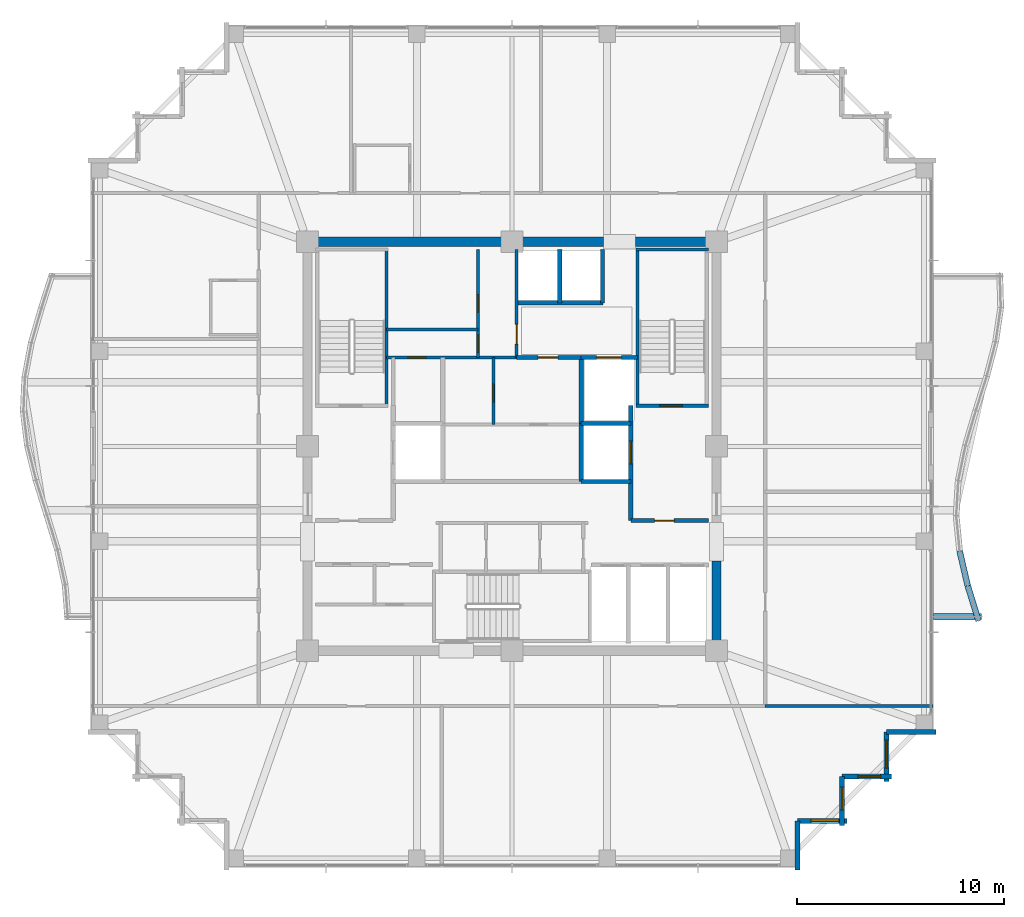
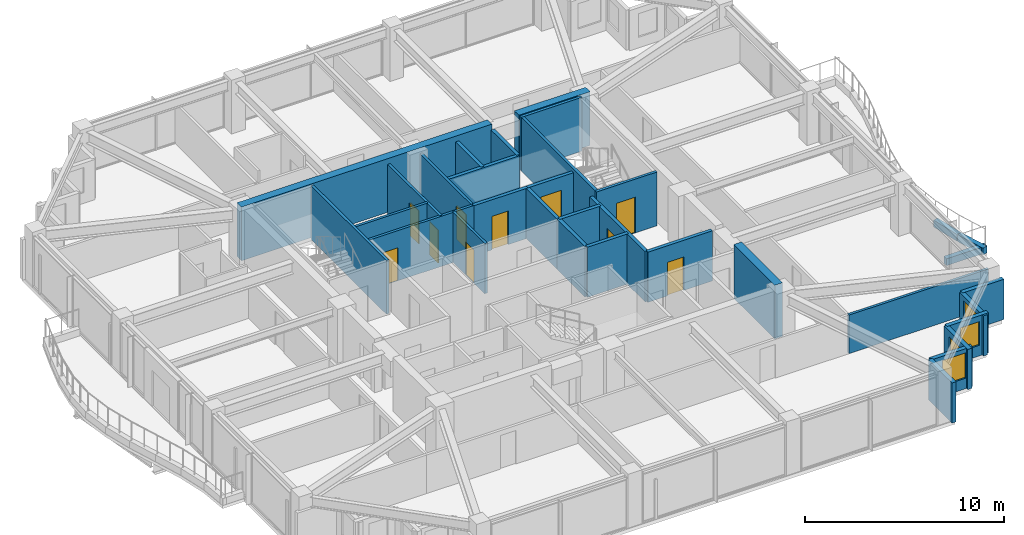
# One storey, part 30 of 34: 33 walls, 10 doors, 4 windows, 14 openings.
"""IFC4 building model written with IfcOpenShell, lengths in metres."""

from ifc_helpers import new_model, si_unit, direction, frame, frame_2d, origin, place, context, subcontext, project, spatial, rectangle, extrude, material, layer, layer_set, type_object, element, fill, save


model = new_model("IFC4")

# Units and contexts
model_context = context("Model", 3, precision=1e-05, world=origin(), true_north=direction((0.0, 1.0)))
body_context = subcontext(model_context, "Body", "Model", "MODEL_VIEW")
ifc_project = project(units=[si_unit("LENGTHUNIT", "METRE"), si_unit("AREAUNIT", "SQUARE_METRE"), si_unit("VOLUMEUNIT", "CUBIC_METRE"), si_unit("PLANEANGLEUNIT", "RADIAN"), si_unit("MASSUNIT", "GRAM", prefix="KILO")], contexts=[model_context])

# Site, building, storey
site_placement = place(None, origin())
site = spatial("IfcSite", under=ifc_project, at=site_placement, CompositionType="ELEMENT")
building_placement = place(site_placement, origin())
building = spatial("IfcBuilding", under=site, at=building_placement, Name="Kolvaren Belvedere", CompositionType="ELEMENT")
storey_placement = place(building_placement, frame((0.0, 0.0, 222.89990234375)))
storey = spatial("IfcBuildingStorey", under=building, at=storey_placement, Name="L65", CompositionType="ELEMENT", Elevation=222.89990234375)

# Walls
ifc_material_1 = material(Name="Concrete C50/60", Category="concrete")
ifc_layer_1 = layer(ifc_material_1, 0.449951171875)
ifc_layer_set_1 = layer_set([ifc_layer_1], Name="Concrete C50/60")
wall_type_1 = type_object("IfcWallType", Name="CW-CORE-450", PredefinedType="SHEAR", material=ifc_layer_set_1)
wall_1_placement = place(storey_placement, frame((-10.125, 9.89990234375, 0.0), z_axis=(0.0, 0.0, 1.0), x_axis=(1.0, 0.0, 0.0)))
element("IfcWall", 1, at=wall_1_placement, inside=storey, type_object=wall_type_1, Name="L65 North Core Shear Wall 1", PredefinedType="SHEAR", context=body_context, shape_type="SweptSolid", body=[
    extrude(rectangle(XDim=14.544921875, YDim=0.449951171875, at=frame_2d((7.2724609375, 0.0))), origin(), (0.0, 0.0, 1.0), 3.300048828125),
])
wall_2_placement = place(storey_placement, frame((5.97998046875, 9.89990234375, 0.0), z_axis=(0.0, 0.0, 1.0), x_axis=(1.0, 0.0, 0.0)))
element("IfcWall", 2, at=wall_2_placement, inside=storey, type_object=wall_type_1, Name="L65 North Core Shear Wall 2", PredefinedType="SHEAR", context=body_context, shape_type="SweptSolid", body=[
    extrude(rectangle(XDim=4.14501953125, YDim=0.449951171875, at=frame_2d((2.072509765625, 0.0))), origin(), (0.0, 0.0, 1.0), 3.300048828125),
])
wall_3_placement = place(storey_placement, frame((9.89990234375, -9.675048828125, 0.0), z_axis=(0.0, 0.0, 1.0), x_axis=(0.0, 1.0, 0.0)))
element("IfcWall", 3, at=wall_3_placement, inside=storey, type_object=wall_type_1, Name="L65 East Core Shear Wall 1", PredefinedType="SHEAR", context=body_context, shape_type="SweptSolid", body=[
    extrude(rectangle(XDim=4.125, YDim=0.449951171875, at=frame_2d((2.0625, 0.0))), origin(), (0.0, 0.0, 1.0), 3.300048828125),
])
ifc_material_2 = material(Name="Concrete C50/60", Category="concrete")
ifc_layer_2 = layer(ifc_material_2, 0.159912109375)
ifc_layer_set_2 = layer_set([ifc_layer_2], Name="Concrete C50/60")
wall_type_2 = type_object("IfcWallType", Name="CW-STAIR-160", PredefinedType="SHEAR", material=ifc_layer_set_2)
wall_4_placement = place(storey_placement, frame((-6.080078125, 1.969970703125, 0.0), z_axis=(0.0, 0.0, 1.0), x_axis=(0.0, 1.0, 0.0)))
element("IfcWall", 4, at=wall_4_placement, inside=storey, type_object=wall_type_2, Name="L65 Stair ST-1 East Shear Wall", PredefinedType="SHEAR", context=body_context, shape_type="SweptSolid", body=[
    extrude(rectangle(XDim=7.56005859375, YDim=0.159912109375, at=frame_2d((3.780029296875, 0.0))), origin(), (0.0, 0.0, 1.0), 3.300048828125),
])

# Wall, opening, door
wall_5_placement = place(storey_placement, frame((6.0, 1.969970703125, 0.0), z_axis=(0.0, 0.0, 1.0), x_axis=(1.0, 0.0, 0.0)))
wall_5 = element("IfcWall", 5, at=wall_5_placement, inside=storey, type_object=wall_type_2, Name="L65 Stair ST-2 South Shear Wall", PredefinedType="SHEAR", context=body_context, shape_type="SweptSolid", body=[
    extrude(rectangle(XDim=3.52001953125, YDim=0.159912109375, at=frame_2d((1.760009765625, 0.0))), origin(), (0.0, 0.0, 1.0), 3.300048828125),
])
opening_1_placement = place(wall_5_placement, frame((1.14990234375, 0.0, 0.0)))
opening_1 = element("IfcOpeningElement", 6, at=opening_1_placement, cuts=wall_5, Name="Opening D-FD90", PredefinedType="OPENING", context=body_context, shape_type="SweptSolid", body=[
    extrude(rectangle(XDim=1.10009765625, YDim=2.199951171875, at=frame_2d((0.550048828125, 1.10009765625))), frame((0.0, 0.08984375, 0.0), z_axis=(0.0, -1.0, 0.0), x_axis=(1.0, 0.0, 0.0)), (0.0, 0.0, 1.0), 0.179931640625),
])
ifc_material_3 = material(Name="Painted hollow stainless steel", Category="steel")
door_type_1 = type_object("IfcDoorType", Name="DR-FD90-1100", OperationType="NOTDEFINED", PredefinedType="DOOR", material=ifc_material_3)
door_1_placement = place(opening_1_placement, origin())
door_1 = element("IfcDoor", 7, at=door_1_placement, inside=storey, type_object=door_type_1, Name="L65 Stair ST-2 Fire Door", OperationType="SINGLE_SWING_RIGHT", OverallHeight=2.199951171875, OverallWidth=1.10009765625, PredefinedType="DOOR", context=body_context, shape_type="SweptSolid", body=[
    extrude(rectangle(XDim=1.10009765625, YDim=2.199951171875, at=frame_2d((0.550048828125, 1.10009765625))), frame((0.0, 0.02490234375, 0.0), z_axis=(0.0, -1.0, 0.0), x_axis=(1.0, 0.0, 0.0)), (0.0, 0.0, 1.0), 0.050048828125),
])
fill(opening_1, door_1)

# Walls
wall_6_placement = place(storey_placement, frame((6.0, 9.530029296875, 0.0), z_axis=(0.0, 0.0, 1.0), x_axis=(1.0, 0.0, 0.0)))
element("IfcWall", 8, at=wall_6_placement, inside=storey, type_object=wall_type_2, Name="L65 Stair ST-2 North Shear Wall", PredefinedType="SHEAR", context=body_context, shape_type="SweptSolid", body=[
    extrude(rectangle(XDim=3.52001953125, YDim=0.159912109375, at=frame_2d((1.760009765625, 0.0))), origin(), (0.0, 0.0, 1.0), 3.300048828125),
])
wall_7_placement = place(storey_placement, frame((6.080078125, 1.969970703125, 0.0), z_axis=(0.0, 0.0, 1.0), x_axis=(0.0, 1.0, 0.0)))
element("IfcWall", 9, at=wall_7_placement, inside=storey, type_object=wall_type_2, Name="L65 Stair ST-2 West Shear Wall", PredefinedType="SHEAR", context=body_context, shape_type="SweptSolid", body=[
    extrude(rectangle(XDim=7.56005859375, YDim=0.159912109375, at=frame_2d((3.780029296875, 0.0))), origin(), (0.0, 0.0, 1.0), 3.300048828125),
])
ifc_material_4 = material(Name="Insulated pale-metal facade wall assembly", Category="aluminium")
ifc_layer_3 = layer(ifc_material_4, 0.239990234375)
ifc_layer_set_3 = layer_set([ifc_layer_3], Name="Insulated pale-metal facade wall assembly")
wall_type_3 = type_object("IfcWallType", Name="WL-EXT-240", PredefinedType="STANDARD", material=ifc_layer_set_3)
wall_8_placement = place(storey_placement, frame((13.830078125, -18.1298828125, 0.0), z_axis=(0.0, 0.0, 1.0), x_axis=(0.0, -1.0, 0.0)))
element("IfcWall", 10, at=wall_8_placement, inside=storey, type_object=wall_type_3, Name="L65 Serrated Corner Facade Wall 2", PredefinedType="STANDARD", context=body_context, shape_type="SweptSolid", body=[
    extrude(rectangle(XDim=2.39013671875, YDim=0.239990234375, at=frame_2d((1.195068359375, 0.0))), origin(), (0.0, 0.0, 1.0), 2.463134765625),
])

# Wall, opening, window
wall_9_placement = place(storey_placement, frame((16.219970703125, -18.1298828125, 0.0), z_axis=(0.0, 0.0, 1.0), x_axis=(-1.0, 0.0, 0.0)))
wall_9 = element("IfcWall", 11, at=wall_9_placement, inside=storey, type_object=wall_type_3, Name="L65 Serrated Corner Facade Wall 3", PredefinedType="STANDARD", context=body_context, shape_type="SweptSolid", body=[
    extrude(rectangle(XDim=2.389892578125, YDim=0.239990234375, at=frame_2d((1.19482421875, 0.0))), origin(), (0.0, 0.0, 1.0), 2.463134765625),
])
opening_2_placement = place(wall_9_placement, frame((0.39990234375, 0.0, 0.64990234375)))
opening_2 = element("IfcOpeningElement", 12, at=opening_2_placement, cuts=wall_9, Name="Opening W-1350", PredefinedType="OPENING", context=body_context, shape_type="SweptSolid", body=[
    extrude(rectangle(XDim=1.35009765625, YDim=1.550048828125, at=frame_2d((0.675048828125, 0.77490234375))), frame((0.0, 0.1298828125, 0.0), z_axis=(0.0, -1.0, 0.0), x_axis=(1.0, 0.0, 0.0)), (0.0, 0.0, 1.0), 0.260009765625),
])
ifc_material_5 = material(Name="Low-iron triple insulated glass", Category="glass")
window_type_1 = type_object("IfcWindowType", Name="WN-CORN-1350", PartitioningType="SINGLE_PANEL", PredefinedType="WINDOW", material=ifc_material_5)
window_1_placement = place(opening_2_placement, origin())
window_1 = element("IfcWindow", 13, at=window_1_placement, inside=storey, type_object=window_type_1, Name="L65 Serrated Corner Vision Window 3", OverallHeight=1.550048828125, OverallWidth=1.35009765625, PartitioningType="SINGLE_PANEL", PredefinedType="WINDOW", context=body_context, shape_type="SweptSolid", body=[
    extrude(rectangle(XDim=1.35009765625, YDim=1.550048828125, at=frame_2d((0.675048828125, 0.77490234375))), frame((0.0, 0.030029296875, 0.0), z_axis=(0.0, -1.0, 0.0), x_axis=(1.0, 0.0, 0.0)), (0.0, 0.0, 1.0), 0.06005859375),
])
fill(opening_2, window_1)

wall_10_placement = place(storey_placement, frame((15.97998046875, -15.97998046875, 0.0), z_axis=(0.0, 0.0, 1.0), x_axis=(0.0, -1.0, 0.0)))
wall_10 = element("IfcWall", 14, at=wall_10_placement, inside=storey, type_object=wall_type_3, Name="L65 Serrated Corner Facade Wall 4", PredefinedType="STANDARD", context=body_context, shape_type="SweptSolid", body=[
    extrude(rectangle(XDim=2.39013671875, YDim=0.239990234375, at=frame_2d((1.195068359375, 0.0))), origin(), (0.0, 0.0, 1.0), 2.463134765625),
])
opening_3_placement = place(wall_10_placement, frame((0.52490234375, 0.0, 0.64990234375)))
opening_3 = element("IfcOpeningElement", 15, at=opening_3_placement, cuts=wall_10, Name="Opening W-1100", PredefinedType="OPENING", context=body_context, shape_type="SweptSolid", body=[
    extrude(rectangle(XDim=1.10009765625, YDim=1.449951171875, at=frame_2d((0.550048828125, 0.72509765625))), frame((0.0, 0.1298828125, 0.0), z_axis=(0.0, -1.0, 0.0), x_axis=(1.0, 0.0, 0.0)), (0.0, 0.0, 1.0), 0.260009765625),
])
ifc_material_6 = material(Name="Low-iron triple insulated glass", Category="glass")
window_type_2 = type_object("IfcWindowType", Name="WN-CORN-1100", PartitioningType="SINGLE_PANEL", PredefinedType="WINDOW", material=ifc_material_6)
window_2_placement = place(opening_3_placement, origin())
window_2 = element("IfcWindow", 16, at=window_2_placement, inside=storey, type_object=window_type_2, Name="L65 Serrated Corner Vision Window 4", OverallHeight=1.449951171875, OverallWidth=1.10009765625, PartitioningType="SINGLE_PANEL", PredefinedType="WINDOW", context=body_context, shape_type="SweptSolid", body=[
    extrude(rectangle(XDim=1.10009765625, YDim=1.449951171875, at=frame_2d((0.550048828125, 0.72509765625))), frame((0.0, 0.030029296875, 0.0), z_axis=(0.0, -1.0, 0.0), x_axis=(1.0, 0.0, 0.0)), (0.0, 0.0, 1.0), 0.06005859375),
])
fill(opening_3, window_2)

wall_11_placement = place(storey_placement, frame((18.3701171875, -15.97998046875, 0.0), z_axis=(0.0, 0.0, 1.0), x_axis=(-1.0, 0.0, 0.0)))
wall_11 = element("IfcWall", 17, at=wall_11_placement, inside=storey, type_object=wall_type_3, Name="L65 Serrated Corner Facade Wall 5", PredefinedType="STANDARD", context=body_context, shape_type="SweptSolid", body=[
    extrude(rectangle(XDim=2.39013671875, YDim=0.239990234375, at=frame_2d((1.195068359375, 0.0))), origin(), (0.0, 0.0, 1.0), 2.463134765625),
])
opening_4_placement = place(wall_11_placement, frame((0.52490234375, 0.0, 0.64990234375)))
opening_4 = element("IfcOpeningElement", 18, at=opening_4_placement, cuts=wall_11, Name="Opening W-1100", PredefinedType="OPENING", context=body_context, shape_type="SweptSolid", body=[
    extrude(rectangle(XDim=1.10009765625, YDim=1.449951171875, at=frame_2d((0.550048828125, 0.72509765625))), frame((0.0, 0.1298828125, 0.0), z_axis=(0.0, -1.0, 0.0), x_axis=(1.0, 0.0, 0.0)), (0.0, 0.0, 1.0), 0.260009765625),
])
window_3_placement = place(opening_4_placement, origin())
window_3 = element("IfcWindow", 19, at=window_3_placement, inside=storey, type_object=window_type_2, Name="L65 Serrated Corner Vision Window 5", OverallHeight=1.449951171875, OverallWidth=1.10009765625, PartitioningType="SINGLE_PANEL", PredefinedType="WINDOW", context=body_context, shape_type="SweptSolid", body=[
    extrude(rectangle(XDim=1.10009765625, YDim=1.449951171875, at=frame_2d((0.550048828125, 0.72509765625))), frame((0.0, 0.030029296875, 0.0), z_axis=(0.0, -1.0, 0.0), x_axis=(1.0, 0.0, 0.0)), (0.0, 0.0, 1.0), 0.06005859375),
])
fill(opening_4, window_3)

wall_12_placement = place(storey_placement, frame((18.1298828125, -13.830078125, 0.0), z_axis=(0.0, 0.0, 1.0), x_axis=(0.0, -1.0, 0.0)))
wall_12 = element("IfcWall", 20, at=wall_12_placement, inside=storey, type_object=wall_type_3, Name="L65 Serrated Corner Facade Wall 6", PredefinedType="STANDARD", context=body_context, shape_type="SweptSolid", body=[
    extrude(rectangle(XDim=2.389892578125, YDim=0.239990234375, at=frame_2d((1.19482421875, 0.0))), origin(), (0.0, 0.0, 1.0), 2.463134765625),
])
opening_5_placement = place(wall_12_placement, frame((0.39990234375, 0.0, 0.64990234375)))
opening_5 = element("IfcOpeningElement", 21, at=opening_5_placement, cuts=wall_12, Name="Opening W-1350", PredefinedType="OPENING", context=body_context, shape_type="SweptSolid", body=[
    extrude(rectangle(XDim=1.35009765625, YDim=1.550048828125, at=frame_2d((0.675048828125, 0.77490234375))), frame((0.0, 0.1298828125, 0.0), z_axis=(0.0, -1.0, 0.0), x_axis=(1.0, 0.0, 0.0)), (0.0, 0.0, 1.0), 0.260009765625),
])
window_4_placement = place(opening_5_placement, origin())
window_4 = element("IfcWindow", 22, at=window_4_placement, inside=storey, type_object=window_type_1, Name="L65 Serrated Corner Vision Window 6", OverallHeight=1.550048828125, OverallWidth=1.35009765625, PartitioningType="SINGLE_PANEL", PredefinedType="WINDOW", context=body_context, shape_type="SweptSolid", body=[
    extrude(rectangle(XDim=1.35009765625, YDim=1.550048828125, at=frame_2d((0.675048828125, 0.77490234375))), frame((0.0, 0.030029296875, 0.0), z_axis=(0.0, -1.0, 0.0), x_axis=(1.0, 0.0, 0.0)), (0.0, 0.0, 1.0), 0.06005859375),
])
fill(opening_5, window_4)

# Wall
wall_13_placement = place(storey_placement, frame((20.52001953125, -13.830078125, 0.0), z_axis=(0.0, 0.0, 1.0), x_axis=(-1.0, 0.0, 0.0)))
element("IfcWall", 23, at=wall_13_placement, inside=storey, type_object=wall_type_3, Name="L65 Serrated Corner Facade Wall 7", PredefinedType="STANDARD", context=body_context, shape_type="SweptSolid", body=[
    extrude(rectangle(XDim=2.39013671875, YDim=0.239990234375, at=frame_2d((1.195068359375, 0.0))), origin(), (0.0, 0.0, 1.0), 2.463134765625),
])

# Wall, opening, door
ifc_material_7 = material(Name="Gypsum acoustic partition assembly", Category="gypsum")
ifc_layer_4 = layer(ifc_material_7, 0.14990234375)
ifc_layer_set_4 = layer_set([ifc_layer_4], Name="Gypsum acoustic partition assembly")
wall_type_4 = type_object("IfcWallType", Name="WL-PART-150", PredefinedType="PARTITIONING", material=ifc_layer_set_4)
wall_14_placement = place(storey_placement, frame((-6.080078125, 4.300048828125, 0.0), z_axis=(0.0, 0.0, 1.0), x_axis=(1.0, 0.0, 0.0)))
wall_14 = element("IfcWall", 24, at=wall_14_placement, inside=storey, type_object=wall_type_4, Name="L65 Reclaimed Salon South Wall", PredefinedType="PARTITIONING", context=body_context, shape_type="SweptSolid", body=[
    extrude(rectangle(XDim=6.300048828125, YDim=0.14990234375, at=frame_2d((3.14990234375, 0.0))), origin(), (0.0, 0.0, 1.0), 3.080078125),
])
opening_6_placement = place(wall_14_placement, frame((1.050048828125, 0.0, 0.0)))
opening_6 = element("IfcOpeningElement", 25, at=opening_6_placement, cuts=wall_14, Name="Opening D-INT85", PredefinedType="OPENING", context=body_context, shape_type="SweptSolid", body=[
    extrude(rectangle(XDim=0.85009765625, YDim=2.030029296875, at=frame_2d((0.425048828125, 1.01513671875))), frame((0.0, 0.0849609375, 0.0), z_axis=(0.0, -1.0, 0.0), x_axis=(1.0, 0.0, 0.0)), (0.0, 0.0, 1.0), 0.169921875),
])
ifc_material_8 = material(Name="Stained Pacific white oak", Category="timber")
door_type_2 = type_object("IfcDoorType", Name="DR-INT-850", OperationType="NOTDEFINED", PredefinedType="DOOR", material=ifc_material_8)
door_2_placement = place(opening_6_placement, origin())
door_2 = element("IfcDoor", 26, at=door_2_placement, inside=storey, type_object=door_type_2, Name="L65 NW Core Store Door", OperationType="SINGLE_SWING_RIGHT", OverallHeight=2.030029296875, OverallWidth=0.85009765625, PredefinedType="DOOR", context=body_context, shape_type="SweptSolid", body=[
    extrude(rectangle(XDim=0.85009765625, YDim=2.030029296875, at=frame_2d((0.425048828125, 1.01513671875))), frame((0.0, 0.02490234375, 0.0), z_axis=(0.0, -1.0, 0.0), x_axis=(1.0, 0.0, 0.0)), (0.0, 0.0, 1.0), 0.050048828125),
])
fill(opening_6, door_2)

wall_15_placement = place(storey_placement, frame((0.219970703125, 4.300048828125, 0.0), z_axis=(0.0, 0.0, 1.0), x_axis=(0.0, 1.0, 0.0)))
wall_15 = element("IfcWall", 27, at=wall_15_placement, inside=storey, type_object=wall_type_4, Name="L65 Reclaimed Salon East Wall", PredefinedType="PARTITIONING", context=body_context, shape_type="SweptSolid", body=[
    extrude(rectangle(XDim=5.219970703125, YDim=0.14990234375, at=frame_2d((2.60986328125, 0.0))), origin(), (0.0, 0.0, 1.0), 3.080078125),
])
opening_7_placement = place(wall_15_placement, frame((0.64990234375, 0.0, 0.0)))
opening_7 = element("IfcOpeningElement", 28, at=opening_7_placement, cuts=wall_15, Name="Opening D-INT95", PredefinedType="OPENING", context=body_context, shape_type="SweptSolid", body=[
    extrude(rectangle(XDim=0.949951171875, YDim=2.06005859375, at=frame_2d((0.47509765625, 1.030029296875))), frame((0.0, 0.0849609375, 0.0), z_axis=(0.0, -1.0, 0.0), x_axis=(1.0, 0.0, 0.0)), (0.0, 0.0, 1.0), 0.169921875),
])
ifc_material_9 = material(Name="Stained Pacific white oak", Category="timber")
door_type_3 = type_object("IfcDoorType", Name="DR-INT-950", OperationType="NOTDEFINED", PredefinedType="DOOR", material=ifc_material_9)
door_3_placement = place(opening_7_placement, origin())
door_3 = element("IfcDoor", 29, at=door_3_placement, inside=storey, type_object=door_type_3, Name="L65 Wellness Tearoom Door", OperationType="SINGLE_SWING_LEFT", OverallHeight=2.06005859375, OverallWidth=0.949951171875, PredefinedType="DOOR", context=body_context, shape_type="SweptSolid", body=[
    extrude(rectangle(XDim=0.949951171875, YDim=2.06005859375, at=frame_2d((0.47509765625, 1.030029296875))), frame((0.0, 0.02490234375, 0.0), z_axis=(0.0, -1.0, 0.0), x_axis=(1.0, 0.0, 0.0)), (0.0, 0.0, 1.0), 0.050048828125),
])
fill(opening_7, door_3)

# Wall, openings, doors
wall_16_placement = place(storey_placement, frame((-1.64990234375, 4.300048828125, 0.0), z_axis=(0.0, 0.0, 1.0), x_axis=(0.0, 1.0, 0.0)))
wall_16 = element("IfcWall", 30, at=wall_16_placement, inside=storey, type_object=wall_type_4, Name="L65 Reclaimed Tearoom V-Divider", PredefinedType="PARTITIONING", context=body_context, shape_type="SweptSolid", body=[
    extrude(rectangle(XDim=5.219970703125, YDim=0.14990234375, at=frame_2d((2.60986328125, 0.0))), origin(), (0.0, 0.0, 1.0), 3.080078125),
])
opening_8_placement = place(wall_16_placement, frame((2.199951171875, 0.0, 0.0)))
opening_8 = element("IfcOpeningElement", 31, at=opening_8_placement, cuts=wall_16, Name="Opening D-INT85", PredefinedType="OPENING", context=body_context, shape_type="SweptSolid", body=[
    extrude(rectangle(XDim=0.85009765625, YDim=2.030029296875, at=frame_2d((0.425048828125, 1.01513671875))), frame((0.0, 0.0849609375, 0.0), z_axis=(0.0, -1.0, 0.0), x_axis=(1.0, 0.0, 0.0)), (0.0, 0.0, 1.0), 0.169921875),
])
opening_9_placement = place(wall_16_placement, frame((0.25, 0.0, 0.0)))
opening_9 = element("IfcOpeningElement", 32, at=opening_9_placement, cuts=wall_16, Name="Opening D-INT85", PredefinedType="OPENING", context=body_context, shape_type="SweptSolid", body=[
    extrude(rectangle(XDim=0.85009765625, YDim=2.030029296875, at=frame_2d((0.425048828125, 1.01513671875))), frame((0.0, 0.0849609375, 0.0), z_axis=(0.0, -1.0, 0.0), x_axis=(1.0, 0.0, 0.0)), (0.0, 0.0, 1.0), 0.169921875),
])
door_4_placement = place(opening_8_placement, origin())
door_4 = element("IfcDoor", 33, at=door_4_placement, inside=storey, type_object=door_type_2, Name="L65 Meditation Room Door", OperationType="SINGLE_SWING_RIGHT", OverallHeight=2.030029296875, OverallWidth=0.85009765625, PredefinedType="DOOR", context=body_context, shape_type="SweptSolid", body=[
    extrude(rectangle(XDim=0.85009765625, YDim=2.030029296875, at=frame_2d((0.425048828125, 1.01513671875))), frame((0.0, 0.02490234375, 0.0), z_axis=(0.0, -1.0, 0.0), x_axis=(1.0, 0.0, 0.0)), (0.0, 0.0, 1.0), 0.050048828125),
])
fill(opening_8, door_4)
door_5_placement = place(opening_9_placement, origin())
door_5 = element("IfcDoor", 34, at=door_5_placement, inside=storey, type_object=door_type_2, Name="L65 Herbal Closet Door", OperationType="SINGLE_SWING_RIGHT", OverallHeight=2.030029296875, OverallWidth=0.85009765625, PredefinedType="DOOR", context=body_context, shape_type="SweptSolid", body=[
    extrude(rectangle(XDim=0.85009765625, YDim=2.030029296875, at=frame_2d((0.425048828125, 1.01513671875))), frame((0.0, 0.02490234375, 0.0), z_axis=(0.0, -1.0, 0.0), x_axis=(1.0, 0.0, 0.0)), (0.0, 0.0, 1.0), 0.050048828125),
])
fill(opening_9, door_5)

# Wall
wall_17_placement = place(storey_placement, frame((-6.080078125, 5.64990234375, 0.0), z_axis=(0.0, 0.0, 1.0), x_axis=(1.0, 0.0, 0.0)))
element("IfcWall", 35, at=wall_17_placement, inside=storey, type_object=wall_type_4, Name="L65 Reclaimed Tearoom H-Divider", PredefinedType="PARTITIONING", context=body_context, shape_type="SweptSolid", body=[
    extrude(rectangle(XDim=4.43017578125, YDim=0.14990234375, at=frame_2d((2.215087890625, 0.0))), origin(), (0.0, 0.0, 1.0), 3.080078125),
])

# Wall, opening, door
wall_18_placement = place(storey_placement, frame((-0.89990234375, 1.050048828125, 0.0), z_axis=(0.0, 0.0, 1.0), x_axis=(0.0, 1.0, 0.0)))
wall_18 = element("IfcWall", 36, at=wall_18_placement, inside=storey, type_object=wall_type_4, Name="L65 Central Core V-Divider", PredefinedType="PARTITIONING", context=body_context, shape_type="SweptSolid", body=[
    extrude(rectangle(XDim=3.25, YDim=0.14990234375, at=frame_2d((1.625, 0.0))), origin(), (0.0, 0.0, 1.0), 3.080078125),
])
opening_10_placement = place(wall_18_placement, frame((1.10009765625, 0.0, 0.0)))
opening_10 = element("IfcOpeningElement", 37, at=opening_10_placement, cuts=wall_18, Name="Opening D-INT85", PredefinedType="OPENING", context=body_context, shape_type="SweptSolid", body=[
    extrude(rectangle(XDim=0.85009765625, YDim=2.030029296875, at=frame_2d((0.425048828125, 1.01513671875))), frame((0.0, 0.0849609375, 0.0), z_axis=(0.0, -1.0, 0.0), x_axis=(1.0, 0.0, 0.0)), (0.0, 0.0, 1.0), 0.169921875),
])
door_6_placement = place(opening_10_placement, origin())
door_6 = element("IfcDoor", 38, at=door_6_placement, inside=storey, type_object=door_type_2, Name="L65 Central Telecom Door", OperationType="SINGLE_SWING_RIGHT", OverallHeight=2.030029296875, OverallWidth=0.85009765625, PredefinedType="DOOR", context=body_context, shape_type="SweptSolid", body=[
    extrude(rectangle(XDim=0.85009765625, YDim=2.030029296875, at=frame_2d((0.425048828125, 1.01513671875))), frame((0.0, 0.02490234375, 0.0), z_axis=(0.0, -1.0, 0.0), x_axis=(1.0, 0.0, 0.0)), (0.0, 0.0, 1.0), 0.050048828125),
])
fill(opening_10, door_6)

# Walls
wall_19_placement = place(storey_placement, frame((12.260009765625, -12.580078125, 0.0), z_axis=(0.0, 0.0, 1.0), x_axis=(1.0, 0.0, 0.0)))
element("IfcWall", 39, at=wall_19_placement, inside=storey, type_object=wall_type_4, Name="L65 Wing Divider PW-L65-QSE", PredefinedType="PARTITIONING", context=body_context, shape_type="SweptSolid", body=[
    extrude(rectangle(XDim=8.119873046875, YDim=0.14990234375, at=frame_2d((4.06005859375, 0.0))), origin(), (0.0, 0.0, 1.0), 2.369140625),
])
ifc_material_10 = material(Name="Precast concrete C40/50", Category="concrete")
ifc_layer_5 = layer(ifc_material_10, 0.300048828125)
ifc_layer_set_5 = layer_set([ifc_layer_5], Name="Precast concrete C40/50")
wall_type_5 = type_object("IfcWallType", Name="WL-PLANTER-300", PredefinedType="PARAPET", material=ifc_layer_set_5)
wall_20_placement = place(storey_placement, frame((22.587158203125, -8.447265625, -0.039794921875), z_axis=(0.0, 0.0, 1.0), x_axis=(-0.295831524561, 0.95524013163, 0.0)))
element("IfcWall", 40, at=wall_20_placement, inside=storey, type_object=wall_type_5, Name="L65 Precast Structural Planter Wall BAL-E-1", PredefinedType="PARAPET", context=body_context, shape_type="SweptSolid", body=[
    extrude(rectangle(XDim=1.758544921875, YDim=0.280029296875, at=frame_2d((0.87939453125, 0.0))), origin(), (0.0, 0.0, 1.0), 0.419921875),
])
wall_21_placement = place(storey_placement, frame((22.06396484375, -6.75634765625, -0.039794921875), z_axis=(0.0, 0.0, 1.0), x_axis=(-0.227019323824, 0.973890253884, 0.0)))
element("IfcWall", 41, at=wall_21_placement, inside=storey, type_object=wall_type_5, Name="L65 Precast Structural Planter Wall BAL-E-2", PredefinedType="PARAPET", context=body_context, shape_type="SweptSolid", body=[
    extrude(rectangle(XDim=1.724853515625, YDim=0.280029296875, at=frame_2d((0.8623046875, 0.0))), origin(), (0.0, 0.0, 1.0), 0.419921875),
])
wall_22_placement = place(storey_placement, frame((20.39990234375, -8.239990234375, -0.039794921875), z_axis=(0.0, 0.0, 1.0), x_axis=(1.0, 0.0, 0.0)))
element("IfcWall", 42, at=wall_22_placement, inside=storey, type_object=wall_type_5, Name="L65 Precast Structural Planter Wall BAL-E-22", PredefinedType="PARAPET", context=body_context, shape_type="SweptSolid", body=[
    extrude(rectangle(XDim=2.340087890625, YDim=0.280029296875, at=frame_2d((1.169921875, 0.0))), origin(), (0.0, 0.0, 1.0), 0.419921875),
])

# Wall, opening, door
ifc_material_11 = material(Name="Concrete C50/60", Category="concrete")
ifc_layer_6 = layer(ifc_material_11, 0.199951171875)
ifc_layer_set_6 = layer_set([ifc_layer_6], Name="Concrete C50/60")
wall_type_6 = type_object("IfcWallType", Name="WL-SHAFT-200", PredefinedType="SOLIDWALL", material=ifc_layer_set_6)
wall_23_placement = place(storey_placement, frame((5.75, -3.60009765625, 0.0), z_axis=(0.0, 0.0, 1.0), x_axis=(1.0, 0.0, 0.0)))
wall_23 = element("IfcWall", 43, at=wall_23_placement, inside=storey, type_object=wall_type_6, Name="L65 East FSAE Lobby South Wall", PredefinedType="SOLIDWALL", context=body_context, shape_type="SweptSolid", body=[
    extrude(rectangle(XDim=3.77001953125, YDim=0.199951171875, at=frame_2d((1.885009765625, 0.0))), origin(), (0.0, 0.0, 1.0), 3.080078125),
])
opening_11_placement = place(wall_23_placement, frame((1.14990234375, 0.0, 0.0)))
opening_11 = element("IfcOpeningElement", 44, at=opening_11_placement, cuts=wall_23, Name="Opening D-FD60", PredefinedType="OPENING", context=body_context, shape_type="SweptSolid", body=[
    extrude(rectangle(XDim=0.949951171875, YDim=2.06005859375, at=frame_2d((0.47509765625, 1.030029296875))), frame((0.0, 0.10986328125, 0.0), z_axis=(0.0, -1.0, 0.0), x_axis=(1.0, 0.0, 0.0)), (0.0, 0.0, 1.0), 0.219970703125),
])
ifc_material_12 = material(Name="Acoustic white-oak fire door leaf", Category="timber")
door_type_4 = type_object("IfcDoorType", Name="DR-FD60-950", OperationType="NOTDEFINED", PredefinedType="DOOR", material=ifc_material_12)
door_7_placement = place(opening_11_placement, origin())
door_7 = element("IfcDoor", 45, at=door_7_placement, inside=storey, type_object=door_type_4, Name="L65 SE Lift Lobby Fire Door", OperationType="SINGLE_SWING_RIGHT", OverallHeight=2.06005859375, OverallWidth=0.949951171875, PredefinedType="DOOR", context=body_context, shape_type="SweptSolid", body=[
    extrude(rectangle(XDim=0.949951171875, YDim=2.06005859375, at=frame_2d((0.47509765625, 1.030029296875))), frame((0.0, 0.02490234375, 0.0), z_axis=(0.0, -1.0, 0.0), x_axis=(1.0, 0.0, 0.0)), (0.0, 0.0, 1.0), 0.050048828125),
])
fill(opening_11, door_7)

wall_24_placement = place(storey_placement, frame((5.75, -3.60009765625, 0.0), z_axis=(0.0, 0.0, 1.0), x_axis=(0.0, 1.0, 0.0)))
wall_24 = element("IfcWall", 46, at=wall_24_placement, inside=storey, type_object=wall_type_6, Name="L65 FSAE FS2 Landing Wall", PredefinedType="SOLIDWALL", context=body_context, shape_type="SweptSolid", body=[
    extrude(rectangle(XDim=5.570068359375, YDim=0.199951171875, at=frame_2d((2.78515625, 0.0))), origin(), (0.0, 0.0, 1.0), 3.080078125),
])
opening_12_placement = place(wall_24_placement, frame((2.75, 0.0, 0.0)))
opening_12 = element("IfcOpeningElement", 47, at=opening_12_placement, cuts=wall_24, Name="Opening LD-11", PredefinedType="OPENING", context=body_context, shape_type="SweptSolid", body=[
    extrude(rectangle(XDim=1.10009765625, YDim=2.199951171875, at=frame_2d((0.550048828125, 1.10009765625))), frame((0.0, 0.10986328125, 0.0), z_axis=(0.0, -1.0, 0.0), x_axis=(1.0, 0.0, 0.0)), (0.0, 0.0, 1.0), 0.219970703125),
])
ifc_material_13 = material(Name="Brushed stainless steel", Category="steel")
door_type_5 = type_object("IfcDoorType", Name="DR-LIFT-1100", OperationType="DOUBLE_DOOR_SLIDING", PredefinedType="DOOR", material=ifc_material_13)
door_8_placement = place(opening_12_placement, origin())
door_8 = element("IfcDoor", 48, at=door_8_placement, inside=storey, type_object=door_type_5, Name="L65 Firefighting Lift FS2 Landing Door", OperationType="DOUBLE_DOOR_SLIDING", OverallHeight=2.199951171875, OverallWidth=1.10009765625, PredefinedType="DOOR", context=body_context, shape_type="SweptSolid", body=[
    extrude(rectangle(XDim=1.10009765625, YDim=2.199951171875, at=frame_2d((0.550048828125, 1.10009765625))), frame((0.0, 0.02490234375, 0.0), z_axis=(0.0, -1.0, 0.0), x_axis=(1.0, 0.0, 0.0)), (0.0, 0.0, 1.0), 0.050048828125),
])
fill(opening_12, door_8)

# Walls
wall_25_placement = place(storey_placement, frame((3.35009765625, -1.699951171875, 0.0), z_axis=(0.0, 0.0, 1.0), x_axis=(0.0, 1.0, 0.0)))
element("IfcWall", 49, at=wall_25_placement, inside=storey, type_object=wall_type_6, Name="L65 FSAE FS2 Back Wall", PredefinedType="SOLIDWALL", context=body_context, shape_type="SweptSolid", body=[
    extrude(rectangle(XDim=2.800048828125, YDim=0.199951171875, at=frame_2d((1.39990234375, 0.0))), origin(), (0.0, 0.0, 1.0), 3.080078125),
])
for number, where, z_axis, x_axis, name in (
    (50, (3.35009765625, -1.699951171875, 0.0), (0.0, 0.0, 1.0), (1.0, 0.0, 0.0), "L65 FSAE FS2 South Wall"),
    (51, (3.35009765625, 1.10009765625, 0.0), (0.0, 0.0, 1.0), (1.0, 0.0, 0.0), "L65 FSAE FS2 North Wall"),
):
    element("IfcWall", number, at=place(storey_placement, frame(where, z_axis=z_axis, x_axis=x_axis)), inside=storey, type_object=wall_type_6, Name=name, PredefinedType="SOLIDWALL", context=body_context, shape_type="SweptSolid", body=[
        extrude(rectangle(XDim=2.39990234375, YDim=0.199951171875, at=frame_2d((1.199951171875, 0.0))), origin(), (0.0, 0.0, 1.0), 3.080078125),
    ])

# Wall, opening, door
wall_26_placement = place(storey_placement, frame((3.35009765625, 4.300048828125, 0.0), z_axis=(0.0, 0.0, 1.0), x_axis=(1.0, 0.0, 0.0)))
wall_26 = element("IfcWall", 52, at=wall_26_placement, inside=storey, type_object=wall_type_6, Name="L65 Service Lift SV1 Front Wall", PredefinedType="SOLIDWALL", context=body_context, shape_type="SweptSolid", body=[
    extrude(rectangle(XDim=2.72998046875, YDim=0.199951171875, at=frame_2d((1.364990234375, 0.0))), origin(), (0.0, 0.0, 1.0), 3.080078125),
])
opening_13_placement = place(wall_26_placement, frame((0.75, 0.0, 0.0)))
opening_13 = element("IfcOpeningElement", 53, at=opening_13_placement, cuts=wall_26, Name="Opening LD-12", PredefinedType="OPENING", context=body_context, shape_type="SweptSolid", body=[
    extrude(rectangle(XDim=1.199951171875, YDim=2.25, at=frame_2d((0.60009765625, 1.125))), frame((0.0, 0.10986328125, 0.0), z_axis=(0.0, -1.0, 0.0), x_axis=(1.0, 0.0, 0.0)), (0.0, 0.0, 1.0), 0.219970703125),
])
ifc_material_14 = material(Name="Brushed stainless steel", Category="steel")
door_type_6 = type_object("IfcDoorType", Name="DR-LIFT-1200", OperationType="DOUBLE_DOOR_SLIDING", PredefinedType="DOOR", material=ifc_material_14)
door_9_placement = place(opening_13_placement, origin())
door_9 = element("IfcDoor", 54, at=door_9_placement, inside=storey, type_object=door_type_6, Name="L65 Service Lift SV1 Landing Door", OperationType="DOUBLE_DOOR_SLIDING", OverallHeight=2.25, OverallWidth=1.199951171875, PredefinedType="DOOR", context=body_context, shape_type="SweptSolid", body=[
    extrude(rectangle(XDim=1.199951171875, YDim=2.25, at=frame_2d((0.60009765625, 1.125))), frame((0.0, 0.02490234375, 0.0), z_axis=(0.0, -1.0, 0.0), x_axis=(1.0, 0.0, 0.0)), (0.0, 0.0, 1.0), 0.050048828125),
])
fill(opening_13, door_9)

# Walls
wall_27_placement = place(storey_placement, frame((0.219970703125, 6.949951171875, 0.0), z_axis=(0.0, 0.0, 1.0), x_axis=(1.0, 0.0, 0.0)))
element("IfcWall", 55, at=wall_27_placement, inside=storey, type_object=wall_type_6, Name="L65 Express Shuttle Hoistway Wall", PredefinedType="SOLIDWALL", context=body_context, shape_type="SweptSolid", body=[
    extrude(rectangle(XDim=4.179931640625, YDim=0.199951171875, at=frame_2d((2.08984375, 0.0))), origin(), (0.0, 0.0, 1.0), 3.080078125),
])
for number, where, z_axis, x_axis, name in (
    (56, (4.3798828125, 6.949951171875, 0.0), (0.0, 0.0, 1.0), (0.0, 1.0, 0.0), "L65 Express Shuttle East Wall"),
    (57, (2.31005859375, 6.949951171875, 0.0), (0.0, 0.0, 1.0), (0.0, 1.0, 0.0), "L65 Express Shuttle Divider"),
):
    element("IfcWall", number, at=place(storey_placement, frame(where, z_axis=z_axis, x_axis=x_axis)), inside=storey, type_object=wall_type_6, Name=name, PredefinedType="SOLIDWALL", context=body_context, shape_type="SweptSolid", body=[
        extrude(rectangle(XDim=2.570068359375, YDim=0.199951171875, at=frame_2d((1.28515625, 0.0))), origin(), (0.0, 0.0, 1.0), 3.080078125),
    ])

# Wall, opening, door
wall_28_placement = place(storey_placement, frame((0.219970703125, 4.300048828125, 0.0), z_axis=(0.0, 0.0, 1.0), x_axis=(1.0, 0.0, 0.0)))
wall_28 = element("IfcWall", 58, at=wall_28_placement, inside=storey, type_object=wall_type_6, Name="L65 Central Core Room North Wall", PredefinedType="SOLIDWALL", context=body_context, shape_type="SweptSolid", body=[
    extrude(rectangle(XDim=3.130126953125, YDim=0.199951171875, at=frame_2d((1.56494140625, 0.0))), origin(), (0.0, 0.0, 1.0), 3.080078125),
])
opening_14_placement = place(wall_28_placement, frame((1.050048828125, 0.0, 0.0)))
opening_14 = element("IfcOpeningElement", 59, at=opening_14_placement, cuts=wall_28, Name="Opening D-FD60", PredefinedType="OPENING", context=body_context, shape_type="SweptSolid", body=[
    extrude(rectangle(XDim=0.949951171875, YDim=2.06005859375, at=frame_2d((0.47509765625, 1.030029296875))), frame((0.0, 0.10986328125, 0.0), z_axis=(0.0, -1.0, 0.0), x_axis=(1.0, 0.0, 0.0)), (0.0, 0.0, 1.0), 0.219970703125),
])
door_10_placement = place(opening_14_placement, origin())
door_10 = element("IfcDoor", 60, at=door_10_placement, inside=storey, type_object=door_type_4, Name="L65 Central Core Controls Door", OperationType="SINGLE_SWING_LEFT", OverallHeight=2.06005859375, OverallWidth=0.949951171875, PredefinedType="DOOR", context=body_context, shape_type="SweptSolid", body=[
    extrude(rectangle(XDim=0.949951171875, YDim=2.06005859375, at=frame_2d((0.47509765625, 1.030029296875))), frame((0.0, 0.02490234375, 0.0), z_axis=(0.0, -1.0, 0.0), x_axis=(1.0, 0.0, 0.0)), (0.0, 0.0, 1.0), 0.050048828125),
])
fill(opening_14, door_10)

# Wall
wall_29_placement = place(storey_placement, frame((3.35009765625, 1.10009765625, 0.0), z_axis=(0.0, 0.0, 1.0), x_axis=(0.0, 1.0, 0.0)))
element("IfcWall", 61, at=wall_29_placement, inside=storey, type_object=wall_type_6, Name="L65 Central Core Room East Wall", PredefinedType="SOLIDWALL", context=body_context, shape_type="SweptSolid", body=[
    extrude(rectangle(XDim=3.199951171875, YDim=0.199951171875, at=frame_2d((1.60009765625, 0.0))), origin(), (0.0, 0.0, 1.0), 3.080078125),
])

save(model, "model.ifc")
